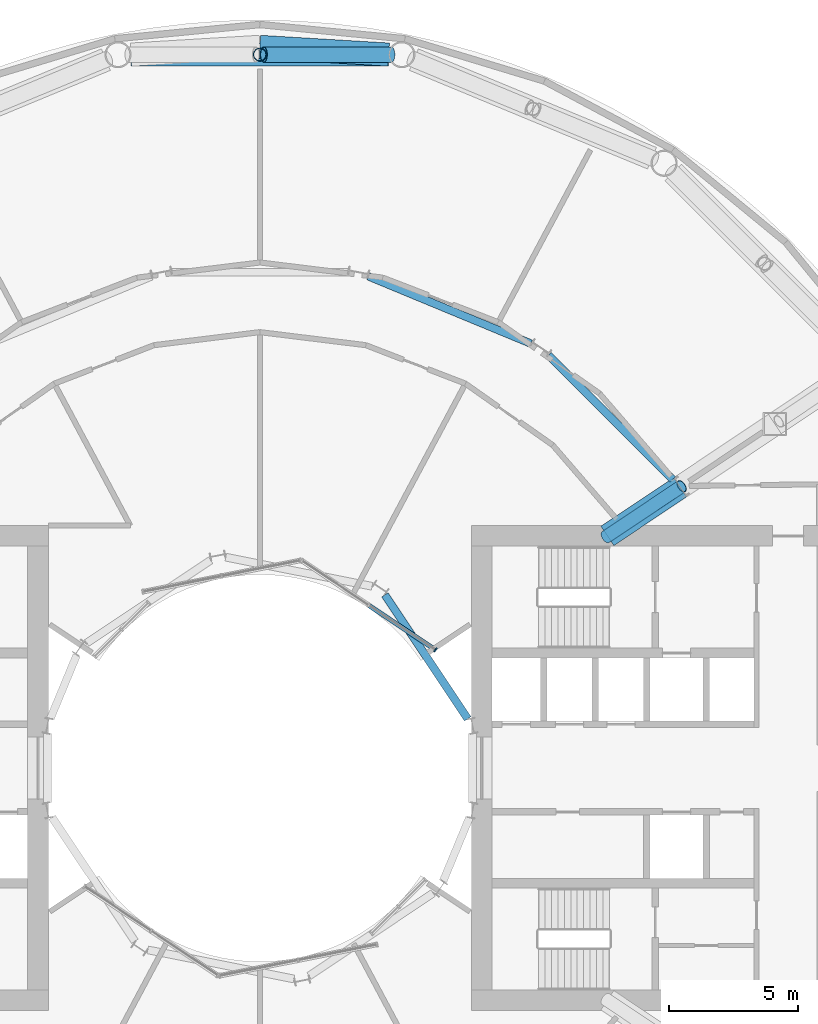
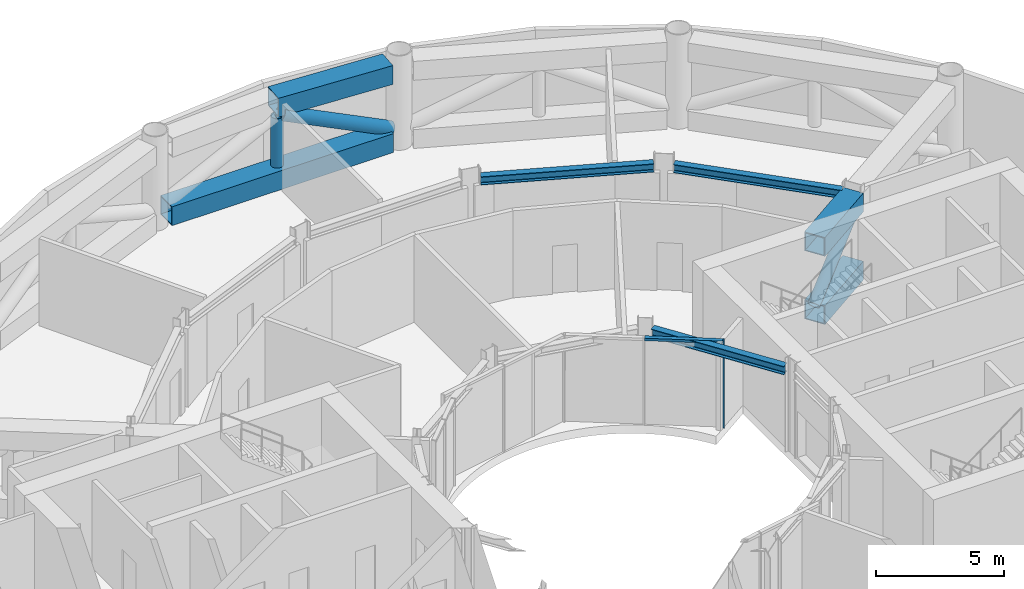
# One storey, part 7 of 15: 7 beams, 5 members, 1 element without a shape of its own.
"""IFC4 building model written with IfcOpenShell, lengths in metres."""

from ifc_helpers import new_model, si_unit, direction, frame, origin, origin_2d, place, context, subcontext, project, spatial, rectangle, hollow_rectangle, hollow_circle, i_section, extrude, material, layer, layer_set, material_profile, profile_set, type_object, element, aggregate, save


model = new_model("IFC4")

# Units and contexts
model_context = context("Model", 3, precision=1e-05, world=origin(), true_north=direction((0.0, 1.0)))
body_context = subcontext(model_context, "Body", "Model", "MODEL_VIEW")
ifc_project = project(units=[si_unit("LENGTHUNIT", "METRE"), si_unit("AREAUNIT", "SQUARE_METRE"), si_unit("VOLUMEUNIT", "CUBIC_METRE"), si_unit("PLANEANGLEUNIT", "RADIAN"), si_unit("MASSUNIT", "GRAM", prefix="KILO")], contexts=[model_context])

# Site, building, storey
site_placement = place(None, origin())
site = spatial("IfcSite", under=ifc_project, at=site_placement, CompositionType="ELEMENT")
building_placement = place(site_placement, origin())
building = spatial("IfcBuilding", under=site, at=building_placement, Name="Maasbend Ring Residences", CompositionType="ELEMENT")
storey_placement = place(building_placement, frame((0.0, 0.0, 18.300048828125)))
storey = spatial("IfcBuildingStorey", under=building, at=storey_placement, Name="L04", CompositionType="ELEMENT", Elevation=18.300048828125)

# Beams
ifc_material_1 = material(Name="Steel S460M", Category="steel")
ifc_material_profile_1 = material_profile(ifc_material_1, hollow_rectangle(XDim=0.89990234375, YDim=0.89990234375, WallThickness=0.044921875, at=origin_2d()), Name="Belt truss chord BX 900x900x45")
ifc_profile_set_1 = profile_set([ifc_material_profile_1], Name="Steel S460M")
beam_type_1 = type_object("IfcBeamType", Name="Belt truss chord BX 900x900x45", PredefinedType="BEAM", material=ifc_profile_set_1)
beam_1_placement = place(storey_placement, frame((4.993408203125, 27.658203125, 0.449951171875), z_axis=(-1.0, 0.0, 0.0), x_axis=(0.0, -1.0, 0.0)))
element("IfcBeam", 1, at=beam_1_placement, inside=storey, type_object=beam_type_1, Name="Belt truss", PredefinedType="BEAM", context=body_context, shape_type="SweptSolid", body=[
    extrude(hollow_rectangle(XDim=0.89990234375, YDim=0.89990234375, WallThickness=0.044921875, at=origin_2d()), origin(), (0.0, 0.0, 1.0), 9.98681640625),
])
beam_2_placement = place(storey_placement, frame((4.993408203125, 27.658203125, 3.699951171875), z_axis=(-0.998202452092, 0.059932166976, 0.0), x_axis=(-0.059932166976, -0.998202452092, 0.0)))
element("IfcBeam", 2, at=beam_2_placement, inside=storey, type_object=beam_type_1, Name="Belt truss", PredefinedType="BEAM", context=body_context, shape_type="SweptSolid", body=[
    extrude(hollow_rectangle(XDim=0.89990234375, YDim=0.89990234375, WallThickness=0.044921875, at=origin_2d()), origin(), (0.0, 0.0, 1.0), 5.00244140625),
])

# Members
ifc_material_2 = material(Name="Steel S460NH", Category="steel")
ifc_material_profile_2 = material_profile(ifc_material_2, hollow_circle(Radius=0.304931640625, WallThickness=0.02490234375, at=origin_2d()), Name="Belt truss diagonal CHS 610x25")
ifc_profile_set_2 = profile_set([ifc_material_profile_2], Name="Steel S460NH")
member_type_1 = type_object("IfcMemberType", Name="Belt truss diagonal CHS 610x25", PredefinedType="BRACE", material=ifc_profile_set_2)
member_1_placement = place(storey_placement, frame((5.09423828125, 27.658203125, 0.849853515625), z_axis=(-0.895892052574, 0.0, 0.44427179759), x_axis=(0.0, -1.0, 0.0)))
element("IfcMember", 3, at=member_1_placement, inside=storey, type_object=member_type_1, Name="Belt truss diagonal", PredefinedType="BRACE", context=body_context, shape_type="SweptSolid", body=[
    extrude(hollow_circle(Radius=0.304931640625, WallThickness=0.02490234375, at=origin_2d()), origin(), (0.0, 0.0, 1.0), 5.51513671875),
])
ifc_material_3 = material(Name="Steel S460NH", Category="steel")
ifc_material_profile_3 = material_profile(ifc_material_3, hollow_circle(Radius=0.25390625, WallThickness=0.01611328125, at=origin_2d()), Name="Belt truss post CHS 508x16")
ifc_profile_set_3 = profile_set([ifc_material_profile_3], Name="Steel S460NH")
member_type_2 = type_object("IfcMemberType", Name="Belt truss post CHS 508x16", PredefinedType="POST", material=ifc_profile_set_3)
member_2_placement = place(storey_placement, frame((0.0, 27.658203125, 0.89990234375), z_axis=(0.0, 0.0, 1.0), x_axis=(1.0, 0.0, 0.0)))
element("IfcMember", 4, at=member_2_placement, inside=storey, type_object=member_type_2, Name="Belt truss post", PredefinedType="POST", context=body_context, shape_type="SweptSolid", body=[
    extrude(hollow_circle(Radius=0.25390625, WallThickness=0.01611328125, at=origin_2d()), origin(), (0.0, 0.0, 1.0), 2.35009765625),
])

# Curtain wall, members
ifc_material_4 = material(Name="Aluminium and clear glass", Category="aluminium")
ifc_layer = layer(ifc_material_4, 0.179931640625)
ifc_layer_set = layer_set([ifc_layer], Name="CW-W")
curtain_wall_type = type_object("IfcCurtainWallType", Name="CW-W", PredefinedType="NOTDEFINED", material=ifc_layer_set)
curtain_wall_placement = place(storey_placement, origin())
curtain_wall = element("IfcCurtainWall", 5, at=curtain_wall_placement, inside=storey, type_object=curtain_wall_type, Name="Well curtain wall N1", PredefinedType="NOTDEFINED")
ifc_material_5 = material(Name="Aluminium 6063-T6", Category="aluminium")
ifc_material_profile_4 = material_profile(ifc_material_5, rectangle(XDim=0.179931640625, YDim=0.06005859375, at=origin_2d()), Name="AL 180x60")
ifc_profile_set_4 = profile_set([ifc_material_profile_4], Name="Aluminium 6063-T6")
member_type_3 = type_object("IfcMemberType", Name="CWM-W", PredefinedType="MULLION", material=ifc_profile_set_4)
member_3_placement = place(storey_placement, frame((6.805908203125, 4.580810546875, 0.0), z_axis=(0.0, 0.0, 1.0), x_axis=(-0.55557023302, -0.831469612303, 0.0)))
member_3 = element("IfcMember", 6, at=member_3_placement, type_object=member_type_3, Name="Mullion well face", PredefinedType="MULLION", context=body_context, shape_type="SweptSolid", body=[
    extrude(rectangle(XDim=0.179931640625, YDim=0.06005859375, at=origin_2d()), origin(), (0.0, 0.0, 1.0), 4.14990234375),
])
ifc_material_6 = material(Name="Aluminium 6063-T6", Category="aluminium")
ifc_material_profile_5 = material_profile(ifc_material_6, rectangle(XDim=0.179931640625, YDim=0.1201171875, at=origin_2d()), Name="AL 180x120")
ifc_profile_set_5 = profile_set([ifc_material_profile_5], Name="Aluminium 6063-T6")
member_type_4 = type_object("IfcMemberType", Name="CWT-W", PredefinedType="USERDEFINED", material=ifc_profile_set_5)
member_4_placement = place(storey_placement, frame((6.781005859375, 4.59765625, 4.08984375), z_axis=(-0.831496422459, 0.555530106689, 0.0), x_axis=(-0.555530106689, -0.831496422459, 0.0)))
member_4 = element("IfcMember", 7, at=member_4_placement, type_object=member_type_4, Name="Transom well face", ObjectType="TRANSOM", PredefinedType="USERDEFINED", context=body_context, shape_type="SweptSolid", body=[
    extrude(rectangle(XDim=0.179931640625, YDim=0.1201171875, at=origin_2d()), origin(), (0.0, 0.0, 1.0), 3.053955078125),
])
aggregate(curtain_wall, [member_3, member_4])

# Beams
ifc_material_7 = material(Name="Steel S355J2", Category="steel")
ifc_material_profile_6 = material_profile(ifc_material_7, i_section(OverallWidth=0.300048828125, OverallDepth=0.39990234375, WebThickness=0.013427734375, FlangeThickness=0.02392578125, FilletRadius=0.027099609375, at=origin_2d()), Name="HEB 400")
ifc_profile_set_6 = profile_set([ifc_material_profile_6], Name="Steel S355J2")
beam_type_2 = type_object("IfcBeamType", Name="Corridor ring beam HEB 400", PredefinedType="BEAM", material=ifc_profile_set_6)
for number, where, z_axis, x_axis, name in (
    (8, (16.00341796875, 11.1826171875, 3.949951171875), (-0.707106781187, 0.707106781187, 0.0), (-0.707106781187, -0.707106781187, 0.0), "Corridor ring beam"),
    (9, (10.505859375, 16.45556640625, 3.949951171875), (-0.92387061516, 0.382704960046, 0.0), (-0.382704960046, -0.92387061516, 0.0), "Corridor ring beam"),
):
    element("IfcBeam", number, at=place(storey_placement, frame(where, z_axis=z_axis, x_axis=x_axis)), inside=storey, type_object=beam_type_2, Name=name, PredefinedType="BEAM", context=body_context, shape_type="SweptSolid", body=[
        extrude(i_section(OverallWidth=0.300048828125, OverallDepth=0.39990234375, WebThickness=0.013427734375, FlangeThickness=0.02392578125, FilletRadius=0.027099609375, at=origin_2d()), origin(), (0.0, 0.0, 1.0), 6.817626953125),
    ])
ifc_material_8 = material(Name="Steel S460M", Category="steel")
ifc_material_profile_7 = material_profile(ifc_material_8, hollow_rectangle(XDim=0.89990234375, YDim=0.89990234375, WallThickness=0.044921875, at=origin_2d()), Name="Outrigger truss chord BX 900x900x45")
ifc_profile_set_7 = profile_set([ifc_material_profile_7], Name="Steel S460M")
beam_type_3 = type_object("IfcBeamType", Name="Outrigger truss chord BX 900x900x45", PredefinedType="BEAM", material=ifc_profile_set_7)
for number, where, z_axis, x_axis, name in (
    (10, (16.2900390625, 10.884765625, 0.449951171875), (-0.831451918965, -0.555596712058, 0.0), (0.555596712058, -0.831451918965, 0.0), "Outrigger truss"),
    (11, (16.2900390625, 10.884765625, 3.699951171875), (-0.831451918965, -0.555596712058, 0.0), (0.555596712058, -0.831451918965, 0.0), "Outrigger truss"),
):
    element("IfcBeam", number, at=place(storey_placement, frame(where, z_axis=z_axis, x_axis=x_axis)), inside=storey, type_object=beam_type_3, Name=name, PredefinedType="BEAM", context=body_context, shape_type="SweptSolid", body=[
        extrude(hollow_rectangle(XDim=0.89990234375, YDim=0.89990234375, WallThickness=0.044921875, at=origin_2d()), origin(), (0.0, 0.0, 1.0), 3.392333984375),
    ])

# Member
ifc_material_9 = material(Name="Steel S460NH", Category="steel")
ifc_material_profile_8 = material_profile(ifc_material_9, hollow_circle(Radius=0.25390625, WallThickness=0.02490234375, at=origin_2d()), Name="Outrigger truss diagonal CHS 508x25")
ifc_profile_set_8 = profile_set([ifc_material_profile_8], Name="Steel S460NH")
member_type_5 = type_object("IfcMemberType", Name="Outrigger truss diagonal CHS 508x25", PredefinedType="BRACE", material=ifc_profile_set_8)
member_5_placement = place(storey_placement, frame((16.35009765625, 10.9248046875, 3.300048828125), z_axis=(-0.683477966691, -0.456673364544, -0.56947985668), x_axis=(0.555560130129, -0.831476362749, 0.0)))
element("IfcMember", 12, at=member_5_placement, inside=storey, type_object=member_type_5, Name="Outrigger truss diagonal", PredefinedType="BRACE", context=body_context, shape_type="SweptSolid", body=[
    extrude(hollow_circle(Radius=0.25390625, WallThickness=0.02490234375, at=origin_2d()), origin(), (0.0, 0.0, 1.0), 4.302490234375),
])

# Beam
ifc_material_10 = material(Name="Steel S355J2", Category="steel")
ifc_material_profile_9 = material_profile(ifc_material_10, i_section(OverallWidth=0.300048828125, OverallDepth=0.39990234375, WebThickness=0.013427734375, FlangeThickness=0.02392578125, FilletRadius=0.027099609375, at=origin_2d()), Name="HEB 400")
ifc_profile_set_9 = profile_set([ifc_material_profile_9], Name="Steel S355J2")
beam_type_4 = type_object("IfcBeamType", Name="Well edge beam HEB 400", PredefinedType="BEAM", material=ifc_profile_set_9)
beam_3_placement = place(storey_placement, frame((8.05810546875, 1.90869140625, 3.949951171875), z_axis=(-0.555557724977, 0.831477969773, 0.0), x_axis=(-0.831477969773, -0.555557724977, 0.0)))
element("IfcBeam", 13, at=beam_3_placement, inside=storey, type_object=beam_type_4, Name="Well edge beam", PredefinedType="BEAM", context=body_context, shape_type="SweptSolid", body=[
    extrude(i_section(OverallWidth=0.300048828125, OverallDepth=0.39990234375, WebThickness=0.013427734375, FlangeThickness=0.02392578125, FilletRadius=0.027099609375, at=origin_2d()), origin(), (0.0, 0.0, 1.0), 5.77978515625),
])

save(model, "model.ifc")
